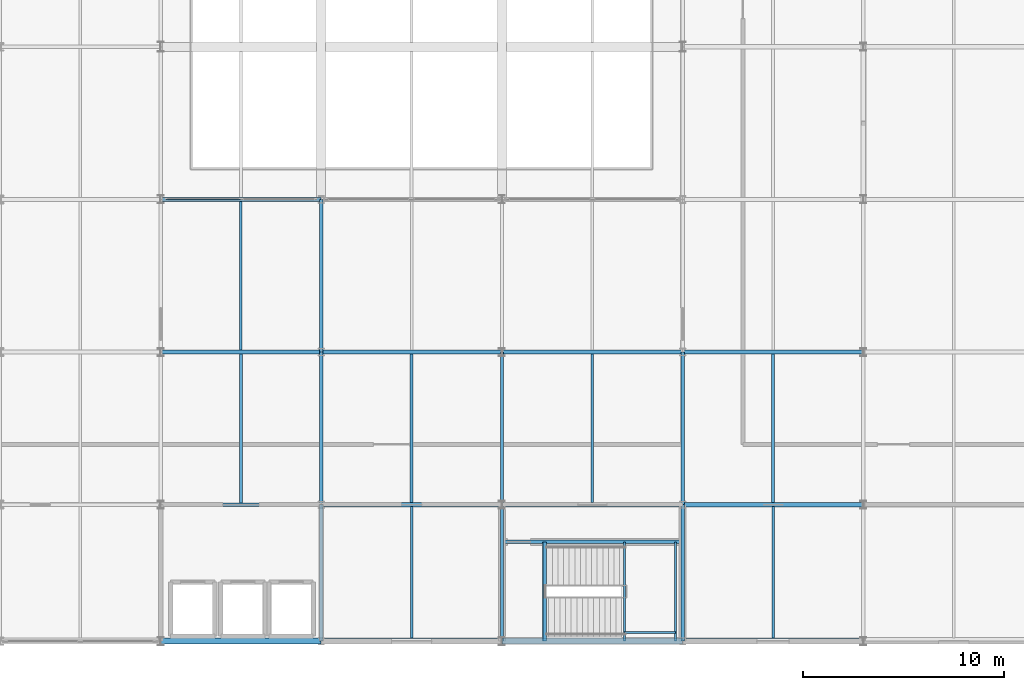
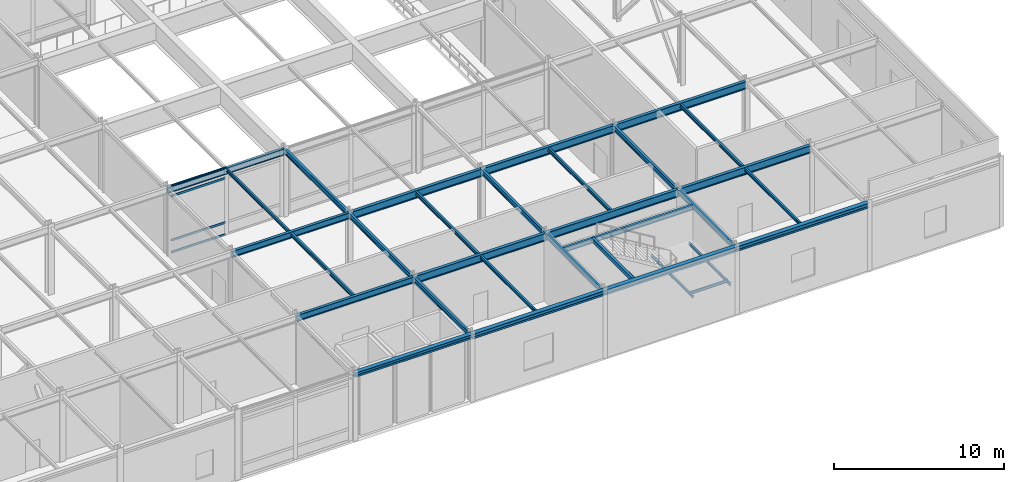
# One storey, part 26 of 79: 32 beams, 4 members, 1 element without a shape of its own.
"""IFC4 building model written with IfcOpenShell, lengths in metres."""

from ifc_helpers import new_model, si_unit, direction, frame, origin, origin_2d, place, context, subcontext, project, spatial, hollow_rectangle, i_section, extrude, material, layer, layer_set, material_profile, profile_set, type_object, element, aggregate, save


model = new_model("IFC4")

# Units and contexts
model_context = context("Model", 3, precision=1e-05, world=origin(), true_north=direction((0.0, 1.0)))
body_context = subcontext(model_context, "Body", "Model", "MODEL_VIEW")
ifc_project = project(units=[si_unit("LENGTHUNIT", "METRE"), si_unit("AREAUNIT", "SQUARE_METRE"), si_unit("VOLUMEUNIT", "CUBIC_METRE"), si_unit("PLANEANGLEUNIT", "RADIAN"), si_unit("MASSUNIT", "GRAM", prefix="KILO")], contexts=[model_context])

# Site, building, storey
site_placement = place(None, origin())
site = spatial("IfcSite", under=ifc_project, at=site_placement, CompositionType="ELEMENT")
building_placement = place(site_placement, origin())
building = spatial("IfcBuilding", under=site, at=building_placement, Name="Shalkamar Park Central Library", CompositionType="ELEMENT")
storey_placement = place(building_placement, frame((0.0, 0.0, 10.5)))
storey = spatial("IfcBuildingStorey", under=building, at=storey_placement, Name="L03", CompositionType="ELEMENT", Elevation=10.5)

# Beams
ifc_material_1 = material(Name="Steel S355", Category="steel")
ifc_material_profile_1 = material_profile(ifc_material_1, i_section(OverallWidth=0.10009765625, OverallDepth=0.199951171875, WebThickness=0.005615234375, FlangeThickness=0.008544921875, FilletRadius=0.011962890625, at=origin_2d()), Name="IPE 200")
ifc_profile_set_1 = profile_set([ifc_material_profile_1], Name="Steel S355")
beam_type_1 = type_object("IfcBeamType", Name="Composite Floor Joist IPE200", PredefinedType="JOIST", material=ifc_profile_set_1)
for number, where, z_axis, x_axis, name in (
    (1, (252.10498046875, 248.39990234375, 2.169921875), (0.0, 1.0, 0.0), (-1.0, 0.0, 0.0), "Stair Half-Landing Beam ST-P3-L03-1"),
    (2, (254.64501953125, 248.39990234375, 2.169921875), (0.0, 1.0, 0.0), (-1.0, 0.0, 0.0), "Stair Half-Landing Beam ST-P3-L03-2"),
):
    element("IfcBeam", number, at=place(storey_placement, frame(where, z_axis=z_axis, x_axis=x_axis)), inside=storey, type_object=beam_type_1, Name=name, PredefinedType="JOIST", context=body_context, shape_type="SweptSolid", body=[
        extrude(i_section(OverallWidth=0.10009765625, OverallDepth=0.199951171875, WebThickness=0.005615234375, FlangeThickness=0.008544921875, FilletRadius=0.011962890625, at=origin_2d()), origin(), (0.0, 0.0, 1.0), 4.9501953125),
    ])
beam_1_placement = place(storey_placement, frame((252.10498046875, 248.824951171875, 2.169921875), z_axis=(1.0, 0.0, 0.0), x_axis=(0.0, 1.0, 0.0)))
element("IfcBeam", 3, at=beam_1_placement, inside=storey, type_object=beam_type_1, Name="Stair Half-Landing Cross Tie ST-P3-L03-3", PredefinedType="JOIST", context=body_context, shape_type="SweptSolid", body=[
    extrude(i_section(OverallWidth=0.10009765625, OverallDepth=0.199951171875, WebThickness=0.005615234375, FlangeThickness=0.008544921875, FilletRadius=0.011962890625, at=origin_2d()), origin(), (0.0, 0.0, 1.0), 2.5400390625),
])
ifc_material_profile_2 = material_profile(ifc_material_1, i_section(OverallWidth=0.1201171875, OverallDepth=0.239990234375, WebThickness=0.006103515625, FlangeThickness=0.009765625, FilletRadius=0.014892578125, at=origin_2d()), Name="IPE 240")
ifc_profile_set_2 = profile_set([ifc_material_profile_2], Name="Steel S355")
beam_type_2 = type_object("IfcBeamType", Name="Composite Floor Joist IPE240", PredefinedType="JOIST", material=ifc_profile_set_2)
beam_2_placement = place(storey_placement, frame((233.0, 262.89306640625, 4.719970703125), z_axis=(0.0, 1.0, 0.0), x_axis=(-1.0, 0.0, 0.0)))
element("IfcBeam", 4, at=beam_2_placement, inside=storey, type_object=beam_type_2, Name="Composite Joist 15/D-1 (L03)", PredefinedType="JOIST", context=body_context, shape_type="SweptSolid", body=[
    extrude(i_section(OverallWidth=0.1201171875, OverallDepth=0.239990234375, WebThickness=0.006103515625, FlangeThickness=0.009765625, FilletRadius=0.014892578125, at=origin_2d()), origin(), (0.0, 0.0, 1.0), 7.413818359375),
])
for number, where, z_axis, x_axis, name in (
    (5, (241.5, 248.548095703125, 4.719970703125), (0.0, 1.0, 0.0), (-1.0, 0.0, 0.0), "Composite Joist 16/B-1 (L03)"),
    (6, (259.5, 248.548095703125, 4.719970703125), (0.0, 1.0, 0.0), (-1.0, 0.0, 0.0), "Composite Joist 18/B-1 (L03)"),
):
    element("IfcBeam", number, at=place(storey_placement, frame(where, z_axis=z_axis, x_axis=x_axis)), inside=storey, type_object=beam_type_2, Name=name, PredefinedType="JOIST", context=body_context, shape_type="SweptSolid", body=[
        extrude(i_section(OverallWidth=0.1201171875, OverallDepth=0.239990234375, WebThickness=0.006103515625, FlangeThickness=0.009765625, FilletRadius=0.014892578125, at=origin_2d()), origin(), (0.0, 0.0, 1.0), 6.548828125),
    ])
ifc_material_profile_3 = material_profile(ifc_material_1, i_section(OverallWidth=0.135009765625, OverallDepth=0.27001953125, WebThickness=0.006591796875, FlangeThickness=0.01025390625, FilletRadius=0.014892578125, at=origin_2d()), Name="IPE 270")
ifc_profile_set_3 = profile_set([ifc_material_profile_3], Name="Steel S355")
beam_type_3 = type_object("IfcBeamType", Name="Composite Floor Joist IPE270", PredefinedType="JOIST", material=ifc_profile_set_3)
beam_3_placement = place(storey_placement, frame((233.0, 255.29296875, 4.705078125), z_axis=(0.0, 1.0, 0.0), x_axis=(-1.0, 0.0, 0.0)))
element("IfcBeam", 7, at=beam_3_placement, inside=storey, type_object=beam_type_3, Name="Composite Joist 15/C-1 (L03)", PredefinedType="JOIST", context=body_context, shape_type="SweptSolid", body=[
    extrude(i_section(OverallWidth=0.135009765625, OverallDepth=0.27001953125, WebThickness=0.006591796875, FlangeThickness=0.01025390625, FilletRadius=0.014892578125, at=origin_2d()), origin(), (0.0, 0.0, 1.0), 7.4140625),
])
for number, where, z_axis, x_axis, name in (
    (8, (241.5, 255.302978515625, 4.705078125), (0.0, 1.0, 0.0), (-1.0, 0.0, 0.0), "Composite Joist 16/C-1 (L03)"),
    (9, (250.5, 255.302978515625, 4.705078125), (0.0, 1.0, 0.0), (-1.0, 0.0, 0.0), "Composite Joist 17/C-1 (L03)"),
    (10, (259.5, 255.302978515625, 4.705078125), (0.0, 1.0, 0.0), (-1.0, 0.0, 0.0), "Composite Joist 18/C-1 (L03)"),
):
    element("IfcBeam", number, at=place(storey_placement, frame(where, z_axis=z_axis, x_axis=x_axis)), inside=storey, type_object=beam_type_3, Name=name, PredefinedType="JOIST", context=body_context, shape_type="SweptSolid", body=[
        extrude(i_section(OverallWidth=0.135009765625, OverallDepth=0.27001953125, WebThickness=0.006591796875, FlangeThickness=0.01025390625, FilletRadius=0.014892578125, at=origin_2d()), origin(), (0.0, 0.0, 1.0), 7.39404296875),
    ])

# Curtain wall, members
ifc_material_2 = material(Name="Thermally broken aluminium and triple low-e curtain wall", Category="aluminium")
ifc_layer = layer(ifc_material_2, 0.25)
ifc_layer_set = layer_set([ifc_layer], Name="AtriumGlazedScreen_120")
curtain_wall_type = type_object("IfcCurtainWallType", Name="Atrium Glazed Screen 120", PredefinedType="USERDEFINED", material=ifc_layer_set)
curtain_wall_placement = place(storey_placement, origin())
curtain_wall = element("IfcCurtainWall", 11, at=curtain_wall_placement, inside=storey, type_object=curtain_wall_type, Name="Atrium Glazed Screen CW-L03-177", ObjectType="ATRIUM GLAZED SCREEN", PredefinedType="USERDEFINED")
ifc_material_3 = material(Name="Aluminium 6060-T66", Category="aluminium")
ifc_material_profile_4 = material_profile(ifc_material_3, hollow_rectangle(XDim=0.06005859375, YDim=0.159912109375, WallThickness=0.00390625, InnerFilletRadius=0.00390625, OuterFilletRadius=0.006103515625, at=origin_2d()), Name="ALU 60x160x4")
ifc_profile_set_4 = profile_set([ifc_material_profile_4], Name="Aluminium 6060-T66")
member_type = type_object("IfcMemberType", Name="Curtain Wall Transom ALU60x160", PredefinedType="USERDEFINED", material=ifc_profile_set_4)
member_1_placement = place(storey_placement, frame((229.279052734375, 270.39990234375, 0.030029296875), z_axis=(1.0, 0.0, 0.0), x_axis=(0.0, 1.0, 0.0)))
member_1 = element("IfcMember", 12, at=member_1_placement, type_object=member_type, Name="CW-120 transom 1.1", ObjectType="TRANSOM", PredefinedType="USERDEFINED", context=body_context, shape_type="SweptSolid", body=[
    extrude(hollow_rectangle(XDim=0.06005859375, YDim=0.159912109375, WallThickness=0.00390625, InnerFilletRadius=0.00390625, OuterFilletRadius=0.006103515625, at=origin_2d()), origin(), (0.0, 0.0, 1.0), 3.693359375),
])
member_2_placement = place(storey_placement, frame((229.279052734375, 270.39990234375, 0.89990234375), z_axis=(1.0, 0.0, 0.0), x_axis=(0.0, 1.0, 0.0)))
member_2 = element("IfcMember", 13, at=member_2_placement, type_object=member_type, Name="CW-120 transom 1.2", ObjectType="TRANSOM", PredefinedType="USERDEFINED", context=body_context, shape_type="SweptSolid", body=[
    extrude(hollow_rectangle(XDim=0.06005859375, YDim=0.159912109375, WallThickness=0.00390625, InnerFilletRadius=0.00390625, OuterFilletRadius=0.006103515625, at=origin_2d()), origin(), (0.0, 0.0, 1.0), 3.693359375),
])
member_3_placement = place(storey_placement, frame((229.279052734375, 270.39990234375, 4.090087890625), z_axis=(1.0, 0.0, 0.0), x_axis=(0.0, 1.0, 0.0)))
member_3 = element("IfcMember", 14, at=member_3_placement, type_object=member_type, Name="CW-120 transom 1.3", ObjectType="TRANSOM", PredefinedType="USERDEFINED", context=body_context, shape_type="SweptSolid", body=[
    extrude(hollow_rectangle(XDim=0.06005859375, YDim=0.159912109375, WallThickness=0.00390625, InnerFilletRadius=0.00390625, OuterFilletRadius=0.006103515625, at=origin_2d()), origin(), (0.0, 0.0, 1.0), 3.693359375),
])
member_4_placement = place(storey_placement, frame((229.279052734375, 270.39990234375, 4.81005859375), z_axis=(1.0, 0.0, 0.0), x_axis=(0.0, 1.0, 0.0)))
member_4 = element("IfcMember", 15, at=member_4_placement, type_object=member_type, Name="CW-120 transom 1.4", ObjectType="TRANSOM", PredefinedType="USERDEFINED", context=body_context, shape_type="SweptSolid", body=[
    extrude(hollow_rectangle(XDim=0.06005859375, YDim=0.159912109375, WallThickness=0.00390625, InnerFilletRadius=0.00390625, OuterFilletRadius=0.006103515625, at=origin_2d()), origin(), (0.0, 0.0, 1.0), 3.693359375),
])
aggregate(curtain_wall, [member_1, member_2, member_3, member_4])

# Beams
ifc_material_profile_5 = material_profile(ifc_material_1, i_section(OverallWidth=0.300048828125, OverallDepth=0.31005859375, WebThickness=0.009033203125, FlangeThickness=0.015380859375, FilletRadius=0.027099609375, at=origin_2d()), Name="HEA 320")
ifc_profile_set_5 = profile_set([ifc_material_profile_5], Name="Steel S355")
beam_type_4 = type_object("IfcBeamType", Name="Perimeter Spandrel Beam HEA320", PredefinedType="SPANDREL", material=ifc_profile_set_5)
beam_4_placement = place(storey_placement, frame((229.0, 248.39990234375, 4.68505859375), z_axis=(1.0, 0.0, 0.0), x_axis=(0.0, 1.0, 0.0)))
element("IfcBeam", 16, at=beam_4_placement, inside=storey, type_object=beam_type_4, Name="Beam B:15-16 (L03)", PredefinedType="SPANDREL", context=body_context, shape_type="SweptSolid", body=[
    extrude(i_section(OverallWidth=0.300048828125, OverallDepth=0.31005859375, WebThickness=0.009033203125, FlangeThickness=0.015380859375, FilletRadius=0.027099609375, at=origin_2d()), origin(), (0.0, 0.0, 1.0), 8.0),
])
ifc_material_profile_6 = material_profile(ifc_material_1, i_section(OverallWidth=0.300048828125, OverallDepth=0.35009765625, WebThickness=0.010009765625, FlangeThickness=0.017578125, FilletRadius=0.027099609375, at=origin_2d()), Name="HEA 360")
ifc_profile_set_6 = profile_set([ifc_material_profile_6], Name="Steel S355")
beam_type_5 = type_object("IfcBeamType", Name="Perimeter Spandrel Beam HEA360", PredefinedType="SPANDREL", material=ifc_profile_set_6)
for number, where, z_axis, x_axis, name in (
    (17, (237.0, 248.39990234375, 4.6650390625), (1.0, 0.0, 0.0), (0.0, 1.0, 0.0), "Beam B:16-17 (L03)"),
    (18, (246.0, 248.39990234375, 4.6650390625), (1.0, 0.0, 0.0), (0.0, 1.0, 0.0), "Beam B:17-18 (L03)"),
    (19, (255.0, 248.39990234375, 4.6650390625), (1.0, 0.0, 0.0), (0.0, 1.0, 0.0), "Beam B:18-19 (L03)"),
):
    element("IfcBeam", number, at=place(storey_placement, frame(where, z_axis=z_axis, x_axis=x_axis)), inside=storey, type_object=beam_type_5, Name=name, PredefinedType="SPANDREL", context=body_context, shape_type="SweptSolid", body=[
        extrude(i_section(OverallWidth=0.300048828125, OverallDepth=0.35009765625, WebThickness=0.010009765625, FlangeThickness=0.017578125, FilletRadius=0.027099609375, at=origin_2d()), origin(), (0.0, 0.0, 1.0), 9.0),
    ])
ifc_material_profile_7 = material_profile(ifc_material_1, i_section(OverallWidth=0.169921875, OverallDepth=0.360107421875, WebThickness=0.008056640625, FlangeThickness=0.0126953125, FilletRadius=0.01806640625, at=origin_2d()), Name="IPE 360")
ifc_profile_set_7 = profile_set([ifc_material_profile_7], Name="Steel S355")
beam_type_6 = type_object("IfcBeamType", Name="Primary Girder IPE360", PredefinedType="BEAM", material=ifc_profile_set_7)
beam_5_placement = place(storey_placement, frame((237.0, 248.39990234375, 4.659912109375), z_axis=(0.0, 1.0, 0.0), x_axis=(-1.0, 0.0, 0.0)))
element("IfcBeam", 20, at=beam_5_placement, inside=storey, type_object=beam_type_6, Name="Beam 16:B-C (L03)", PredefinedType="BEAM", context=body_context, shape_type="SweptSolid", body=[
    extrude(i_section(OverallWidth=0.169921875, OverallDepth=0.360107421875, WebThickness=0.008056640625, FlangeThickness=0.0126953125, FilletRadius=0.01806640625, at=origin_2d()), origin(), (0.0, 0.0, 1.0), 6.800048828125),
])
beam_6_placement = place(storey_placement, frame((237.0, 255.199951171875, 4.659912109375), z_axis=(0.0, 1.0, 0.0), x_axis=(-1.0, 0.0, 0.0)))
element("IfcBeam", 21, at=beam_6_placement, inside=storey, type_object=beam_type_6, Name="Beam 16:C-D (L03)", PredefinedType="BEAM", context=body_context, shape_type="SweptSolid", body=[
    extrude(i_section(OverallWidth=0.169921875, OverallDepth=0.360107421875, WebThickness=0.008056640625, FlangeThickness=0.0126953125, FilletRadius=0.01806640625, at=origin_2d()), origin(), (0.0, 0.0, 1.0), 7.60009765625),
])
beam_7_placement = place(storey_placement, frame((237.0, 262.800048828125, 4.659912109375), z_axis=(0.0, 1.0, 0.0), x_axis=(-1.0, 0.0, 0.0)))
element("IfcBeam", 22, at=beam_7_placement, inside=storey, type_object=beam_type_6, Name="Beam 16:D-E (L03)", PredefinedType="BEAM", context=body_context, shape_type="SweptSolid", body=[
    extrude(i_section(OverallWidth=0.169921875, OverallDepth=0.360107421875, WebThickness=0.008056640625, FlangeThickness=0.0126953125, FilletRadius=0.01806640625, at=origin_2d()), origin(), (0.0, 0.0, 1.0), 7.599853515625),
])
beam_8_placement = place(storey_placement, frame((246.0, 248.39990234375, 4.659912109375), z_axis=(0.0, 1.0, 0.0), x_axis=(-1.0, 0.0, 0.0)))
element("IfcBeam", 23, at=beam_8_placement, inside=storey, type_object=beam_type_6, Name="Beam 17:B-C (L03)", PredefinedType="BEAM", context=body_context, shape_type="SweptSolid", body=[
    extrude(i_section(OverallWidth=0.169921875, OverallDepth=0.360107421875, WebThickness=0.008056640625, FlangeThickness=0.0126953125, FilletRadius=0.01806640625, at=origin_2d()), origin(), (0.0, 0.0, 1.0), 6.800048828125),
])
beam_9_placement = place(storey_placement, frame((246.0, 255.199951171875, 4.659912109375), z_axis=(0.0, 1.0, 0.0), x_axis=(-1.0, 0.0, 0.0)))
element("IfcBeam", 24, at=beam_9_placement, inside=storey, type_object=beam_type_6, Name="Beam 17:C-D (L03)", PredefinedType="BEAM", context=body_context, shape_type="SweptSolid", body=[
    extrude(i_section(OverallWidth=0.169921875, OverallDepth=0.360107421875, WebThickness=0.008056640625, FlangeThickness=0.0126953125, FilletRadius=0.01806640625, at=origin_2d()), origin(), (0.0, 0.0, 1.0), 7.60009765625),
])
beam_10_placement = place(storey_placement, frame((255.0, 248.39990234375, 4.659912109375), z_axis=(0.0, 1.0, 0.0), x_axis=(-1.0, 0.0, 0.0)))
element("IfcBeam", 25, at=beam_10_placement, inside=storey, type_object=beam_type_6, Name="Beam 18:B-C (L03)", PredefinedType="BEAM", context=body_context, shape_type="SweptSolid", body=[
    extrude(i_section(OverallWidth=0.169921875, OverallDepth=0.360107421875, WebThickness=0.008056640625, FlangeThickness=0.0126953125, FilletRadius=0.01806640625, at=origin_2d()), origin(), (0.0, 0.0, 1.0), 6.800048828125),
])
beam_11_placement = place(storey_placement, frame((255.0, 255.199951171875, 4.659912109375), z_axis=(0.0, 1.0, 0.0), x_axis=(-1.0, 0.0, 0.0)))
element("IfcBeam", 26, at=beam_11_placement, inside=storey, type_object=beam_type_6, Name="Beam 18:C-D (L03)", PredefinedType="BEAM", context=body_context, shape_type="SweptSolid", body=[
    extrude(i_section(OverallWidth=0.169921875, OverallDepth=0.360107421875, WebThickness=0.008056640625, FlangeThickness=0.0126953125, FilletRadius=0.01806640625, at=origin_2d()), origin(), (0.0, 0.0, 1.0), 7.60009765625),
])
beam_12_placement = place(storey_placement, frame((246.087890625, 253.35009765625, 4.659912109375), z_axis=(1.0, 0.0, 0.0), x_axis=(0.0, 1.0, 0.0)))
element("IfcBeam", 27, at=beam_12_placement, inside=storey, type_object=beam_type_6, Name="CORE-P3 Stairwell Divider Beam (L03)", PredefinedType="BEAM", context=body_context, shape_type="SweptSolid", body=[
    extrude(i_section(OverallWidth=0.169921875, OverallDepth=0.360107421875, WebThickness=0.008056640625, FlangeThickness=0.0126953125, FilletRadius=0.01806640625, at=origin_2d()), origin(), (0.0, 0.0, 1.0), 8.82421875),
])
ifc_material_profile_8 = material_profile(ifc_material_1, i_section(OverallWidth=0.18994140625, OverallDepth=0.449951171875, WebThickness=0.009521484375, FlangeThickness=0.0146484375, FilletRadius=0.02099609375, at=origin_2d()), Name="IPE 450")
ifc_profile_set_8 = profile_set([ifc_material_profile_8], Name="Steel S355")
beam_type_7 = type_object("IfcBeamType", Name="Primary Girder IPE450", PredefinedType="BEAM", material=ifc_profile_set_8)
for number, where, z_axis, x_axis, name in (
    (28, (229.0, 255.199951171875, 4.614990234375), (1.0, 0.0, 0.0), (0.0, 1.0, 0.0), "Beam C:15-16 (L03)"),
    (29, (229.0, 262.800048828125, 4.614990234375), (1.0, 0.0, 0.0), (0.0, 1.0, 0.0), "Beam D:15-16 (L03)"),
    (30, (229.0, 270.39990234375, 4.614990234375), (1.0, 0.0, 0.0), (0.0, 1.0, 0.0), "Beam E:15-16 (L03)"),
):
    element("IfcBeam", number, at=place(storey_placement, frame(where, z_axis=z_axis, x_axis=x_axis)), inside=storey, type_object=beam_type_7, Name=name, PredefinedType="BEAM", context=body_context, shape_type="SweptSolid", body=[
        extrude(i_section(OverallWidth=0.18994140625, OverallDepth=0.449951171875, WebThickness=0.009521484375, FlangeThickness=0.0146484375, FilletRadius=0.02099609375, at=origin_2d()), origin(), (0.0, 0.0, 1.0), 8.0),
    ])
ifc_material_profile_9 = material_profile(ifc_material_1, i_section(OverallWidth=0.2099609375, OverallDepth=0.550048828125, WebThickness=0.010986328125, FlangeThickness=0.01708984375, FilletRadius=0.02392578125, at=origin_2d()), Name="IPE 550")
ifc_profile_set_9 = profile_set([ifc_material_profile_9], Name="Steel S355")
beam_type_8 = type_object("IfcBeamType", Name="Primary Girder IPE550", PredefinedType="BEAM", material=ifc_profile_set_9)
for number, where, z_axis, x_axis, name in (
    (31, (237.0, 255.199951171875, 4.56494140625), (1.0, 0.0, 0.0), (0.0, 1.0, 0.0), "Beam C:16-17 (L03)"),
    (32, (246.0, 255.199951171875, 4.56494140625), (1.0, 0.0, 0.0), (0.0, 1.0, 0.0), "Beam C:17-18 (L03)"),
    (33, (255.0, 255.199951171875, 4.56494140625), (1.0, 0.0, 0.0), (0.0, 1.0, 0.0), "Beam C:18-19 (L03)"),
    (34, (237.0, 262.800048828125, 4.56494140625), (1.0, 0.0, 0.0), (0.0, 1.0, 0.0), "Beam D:16-17 (L03)"),
    (35, (246.0, 262.800048828125, 4.56494140625), (1.0, 0.0, 0.0), (0.0, 1.0, 0.0), "Beam D:17-18 (L03)"),
    (36, (255.0, 262.800048828125, 4.56494140625), (1.0, 0.0, 0.0), (0.0, 1.0, 0.0), "Beam D:18-19 (L03)"),
):
    element("IfcBeam", number, at=place(storey_placement, frame(where, z_axis=z_axis, x_axis=x_axis)), inside=storey, type_object=beam_type_8, Name=name, PredefinedType="BEAM", context=body_context, shape_type="SweptSolid", body=[
        extrude(i_section(OverallWidth=0.2099609375, OverallDepth=0.550048828125, WebThickness=0.010986328125, FlangeThickness=0.01708984375, FilletRadius=0.02392578125, at=origin_2d()), origin(), (0.0, 0.0, 1.0), 9.0),
    ])
ifc_material_profile_10 = material_profile(ifc_material_1, hollow_rectangle(XDim=0.199951171875, YDim=0.300048828125, WallThickness=0.011962890625, InnerFilletRadius=0.011962890625, OuterFilletRadius=0.01806640625, at=origin_2d()), Name="RHS 300x200x12")
ifc_profile_set_10 = profile_set([ifc_material_profile_10], Name="Steel S355")
beam_type_9 = type_object("IfcBeamType", Name="Stair Trimmer Box RHS300x200", PredefinedType="BEAM", material=ifc_profile_set_10)
beam_13_placement = place(storey_placement, frame((248.125, 248.39990234375, 4.68994140625), z_axis=(0.0, 1.0, 0.0), x_axis=(-1.0, 0.0, 0.0)))
element("IfcBeam", 37, at=beam_13_placement, inside=storey, type_object=beam_type_9, Name="Stair Arrival Trimmer Girder ST-P3-L03", PredefinedType="BEAM", context=body_context, shape_type="SweptSolid", body=[
    extrude(hollow_rectangle(XDim=0.199951171875, YDim=0.300048828125, WallThickness=0.011962890625, InnerFilletRadius=0.011962890625, OuterFilletRadius=0.01806640625, at=origin_2d()), origin(), (0.0, 0.0, 1.0), 4.9501953125),
])

save(model, "model.ifc")
